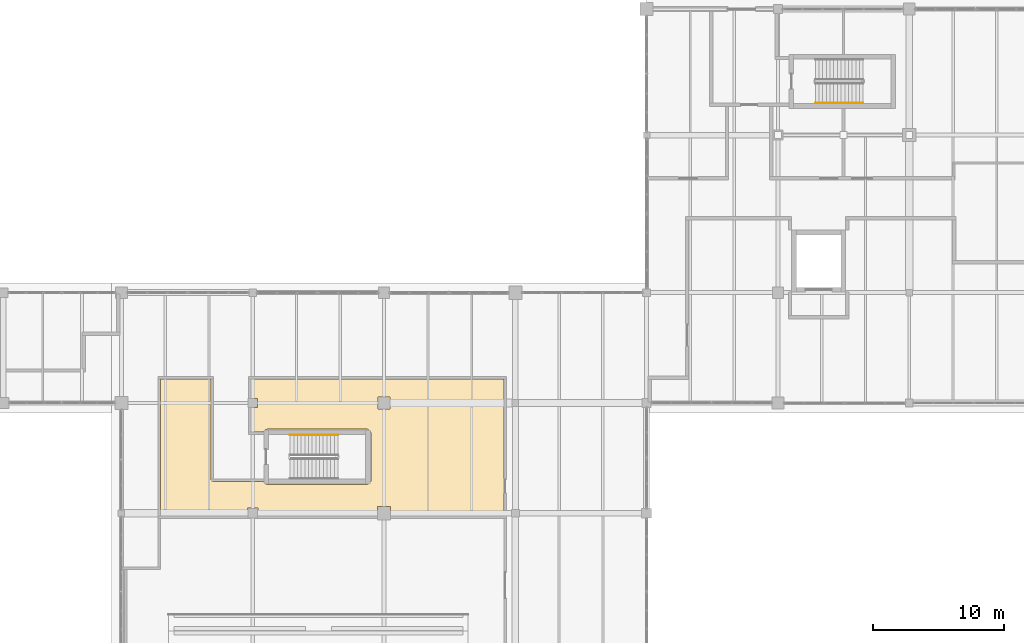
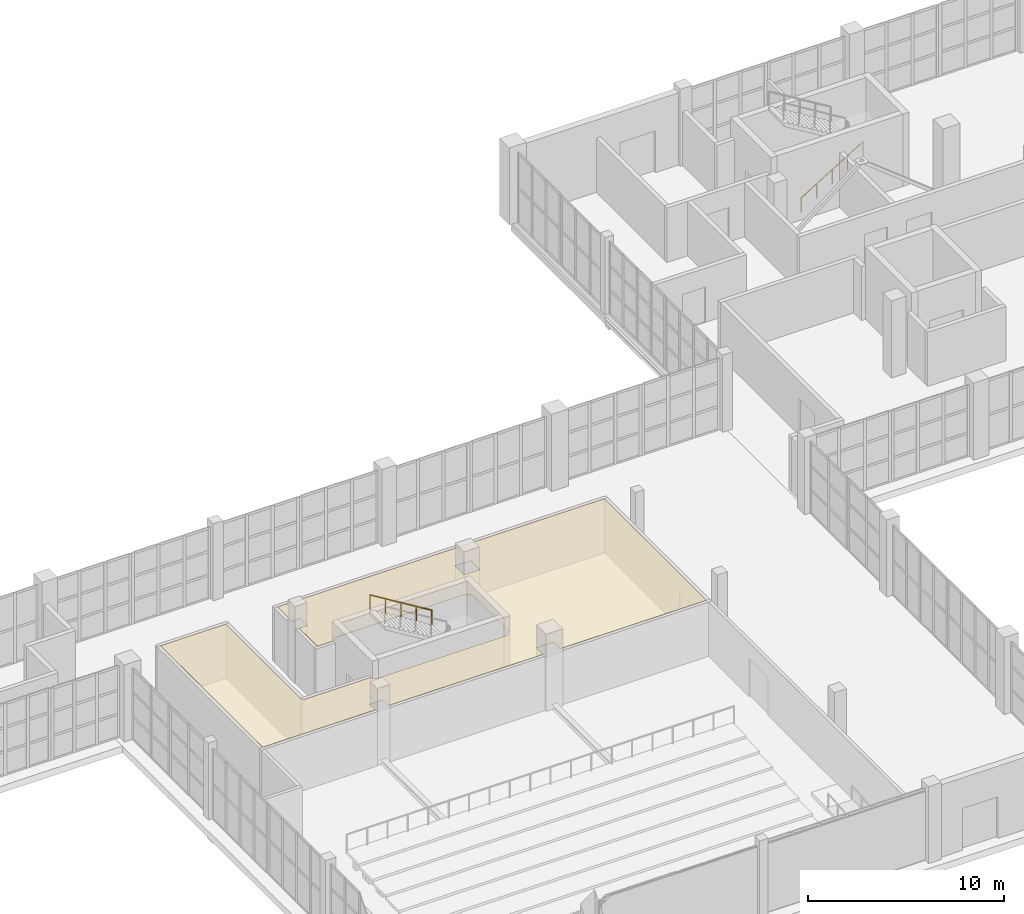
# One storey, part 120 of 121: 2 railings, 1 covering.
"""IFC4 building model written with IfcOpenShell, lengths in metres."""

from ifc_helpers import new_model, si_unit, direction, frame, origin, origin_2d, place, context, subcontext, project, spatial, polyline, circle, outline, extrude, material, layer, layer_set, type_object, element, save


model = new_model("IFC4")

# Units and contexts
model_context = context("Model", 3, precision=1e-05, world=origin(), true_north=direction((0.0, 1.0)))
body_context = subcontext(model_context, "Body", "Model", "MODEL_VIEW")
ifc_project = project(units=[si_unit("LENGTHUNIT", "METRE"), si_unit("AREAUNIT", "SQUARE_METRE"), si_unit("VOLUMEUNIT", "CUBIC_METRE"), si_unit("PLANEANGLEUNIT", "RADIAN"), si_unit("MASSUNIT", "GRAM", prefix="KILO")], contexts=[model_context])

# Site, building, storey
site_placement = place(None, origin())
site = spatial("IfcSite", under=ifc_project, at=site_placement, CompositionType="ELEMENT")
building_placement = place(site_placement, origin())
building = spatial("IfcBuilding", under=site, at=building_placement, Name="Zereglee Splitstone Museum", CompositionType="ELEMENT")
storey_placement = place(building_placement, origin())
storey = spatial("IfcBuildingStorey", under=building, at=storey_placement, Name="L00", CompositionType="ELEMENT", Elevation=0.0)

# Covering
ifc_material_1 = material(Name="Perforated acoustic gypsum board ceiling", Category="masonry")
ifc_layer = layer(ifc_material_1, 0.044921875)
ifc_layer_set = layer_set([ifc_layer], Name="Perforated acoustic gypsum board ceiling")
covering_type = type_object("IfcCoveringType", Name="CLG-02", PredefinedType="CEILING", material=ifc_layer_set)
covering_placement = place(storey_placement, frame((0.0, 0.0, 3.3349609375)))
element("IfcCovering", 1, at=covering_placement, inside=storey, type_object=covering_type, Name="Acoustic Ceiling L00-017", PredefinedType="CEILING", context=body_context, shape_type="SweptSolid", body=[
    extrude(outline(polyline([(265.8798828125, 29.64208984375), (266.35791015625, 29.64208984375), (266.35791015625, 30.35791015625), (265.8798828125, 30.35791015625), (265.8798828125, 31.820068359375), (285.1201171875, 31.820068359375), (285.1201171875, 21.39990234375), (276.508056640625, 21.39990234375), (276.508056640625, 22.10791015625), (275.491943359375, 22.10791015625), (275.491943359375, 21.39990234375), (266.383056640625, 21.39990234375), (266.383056640625, 21.98291015625), (265.616943359375, 21.98291015625), (265.616943359375, 21.39990234375), (258.97998046875, 21.39990234375), (258.97998046875, 31.820068359375), (262.820068359375, 31.820068359375), (262.820068359375, 24.199951171875), (262.820068359375, 24.198974609375), (262.82080078125, 24.183349609375), (262.821044921875, 24.181396484375), (262.8232421875, 24.166015625), (262.82373046875, 24.163818359375), (262.827392578125, 24.148681640625), (262.828125, 24.146728515625), (262.833251953125, 24.132080078125), (262.833984375, 24.130126953125), (262.8408203125, 24.115966796875), (262.841796875, 24.1142578125), (262.849853515625, 24.100830078125), (262.850830078125, 24.09912109375), (262.8603515625, 24.086669921875), (262.861572265625, 24.085205078125), (262.8720703125, 24.073486328125), (262.873291015625, 24.072021484375), (262.885009765625, 24.0615234375), (262.88671875, 24.060302734375), (262.899169921875, 24.05078125), (262.90087890625, 24.0498046875), (262.914306640625, 24.041748046875), (262.916015625, 24.040771484375), (262.93017578125, 24.0341796875), (262.931884765625, 24.033203125), (262.94677734375, 24.028076171875), (262.94873046875, 24.027587890625), (262.9638671875, 24.023681640625), (262.9658203125, 24.023193359375), (262.9814453125, 24.02099609375), (262.9833984375, 24.020751953125), (262.9990234375, 24.02001953125), (263.0, 24.02001953125), (266.821044921875, 24.02001953125), (266.82958984375, 24.001953125), (266.850830078125, 23.966796875), (266.875244140625, 23.93359375), (266.903076171875, 23.903076171875), (266.93359375, 23.875244140625), (266.966796875, 23.850830078125), (267.001953125, 23.82958984375), (267.039306640625, 23.81201171875), (267.078125, 23.798095703125), (267.1181640625, 23.7880859375), (267.15869140625, 23.781982421875), (267.199951171875, 23.780029296875), (274.60009765625, 23.780029296875), (274.64111328125, 23.781982421875), (274.681884765625, 23.7880859375), (274.721923828125, 23.798095703125), (274.7607421875, 23.81201171875), (274.798095703125, 23.82958984375), (274.833251953125, 23.850830078125), (274.866455078125, 23.875244140625), (274.89697265625, 23.903076171875), (274.9248046875, 23.93359375), (274.94921875, 23.966796875), (274.970458984375, 24.001953125), (274.988037109375, 24.039306640625), (275.001953125, 24.078125), (275.011962890625, 24.1181640625), (275.01806640625, 24.15869140625), (275.02001953125, 24.199951171875), (275.02001953125, 27.60009765625), (275.01806640625, 27.64111328125), (275.011962890625, 27.681884765625), (275.001953125, 27.721923828125), (274.988037109375, 27.7607421875), (274.970458984375, 27.798095703125), (274.94921875, 27.833251953125), (274.9248046875, 27.866455078125), (274.89697265625, 27.89697265625), (274.866455078125, 27.9248046875), (274.833251953125, 27.94921875), (274.798095703125, 27.970458984375), (274.7607421875, 27.988037109375), (274.721923828125, 28.001953125), (274.681884765625, 28.011962890625), (274.64111328125, 28.01806640625), (274.60009765625, 28.02001953125), (267.199951171875, 28.02001953125), (267.15869140625, 28.01806640625), (267.1181640625, 28.011962890625), (267.078125, 28.001953125), (267.039306640625, 27.988037109375), (267.001953125, 27.970458984375), (266.966796875, 27.94921875), (266.93359375, 27.9248046875), (266.903076171875, 27.89697265625), (266.875244140625, 27.866455078125), (266.850830078125, 27.833251953125), (266.82958984375, 27.798095703125), (266.821044921875, 27.780029296875), (265.8798828125, 27.780029296875), (265.8798828125, 29.64208984375)]), holes=[polyline([(275.5419921875, 30.4580078125), (275.5419921875, 29.5419921875), (276.4580078125, 29.5419921875), (276.4580078125, 30.4580078125), (275.5419921875, 30.4580078125)])]), origin(), (0.0, 0.0, 1.0), 0.044921875),
])

# Railings
ifc_material_2 = material(Name="Architectural bronze tubular handrail", Category="steel")
railing_type = type_object("IfcRailingType", Name="HR-01", PredefinedType="HANDRAIL", material=ifc_material_2)
railing_1_placement = place(storey_placement, frame((272.489990234375, 27.550048828125, 2.571533203125)))
element("IfcRailing", 2, at=railing_1_placement, inside=storey, type_object=railing_type, Name="L00 ST-05 stair handrail 2", PredefinedType="HANDRAIL", context=body_context, shape_type="SweptSolid", body=[
    extrude(circle(Radius=0.02392578125, at=origin_2d()), frame((0.0, 0.0, 0.8759765625), z_axis=(-0.852850264322, 0.0, 0.5221555579), x_axis=(0.0, -1.0, 0.0)), (0.0, 0.0, 1.0), 4.267822265625),
    extrude(circle(Radius=0.02099609375, at=origin_2d()), origin(), (0.0, 0.0, 1.0), 0.851806640625),
    extrude(circle(Radius=0.02099609375, at=origin_2d()), frame((-0.909912109375, 0.0, 0.55712890625)), (0.0, 0.0, 1.0), 0.851806640625),
    extrude(circle(Radius=0.02099609375, at=origin_2d()), frame((-1.81982421875, 0.0, 1.1142578125)), (0.0, 0.0, 1.0), 0.851806640625),
    extrude(circle(Radius=0.02099609375, at=origin_2d()), frame((-2.72998046875, 0.0, 1.67138671875)), (0.0, 0.0, 1.0), 0.851806640625),
    extrude(circle(Radius=0.02099609375, at=origin_2d()), frame((-3.639892578125, 0.0, 2.228515625)), (0.0, 0.0, 1.0), 0.851806640625),
])
railing_2_placement = place(storey_placement, frame((308.85009765625, 52.85009765625, 0.17138671875)))
element("IfcRailing", 3, at=railing_2_placement, inside=storey, type_object=railing_type, Name="L00 ST-08 stair handrail 1", PredefinedType="HANDRAIL", context=body_context, shape_type="SweptSolid", body=[
    extrude(circle(Radius=0.02392578125, at=origin_2d()), frame((0.0, 0.0, 0.8759765625), z_axis=(0.852850264322, 0.0, 0.5221555579), x_axis=(0.0, 1.0, 0.0)), (0.0, 0.0, 1.0), 4.267822265625),
    extrude(circle(Radius=0.02099609375, at=origin_2d()), origin(), (0.0, 0.0, 1.0), 0.851806640625),
    extrude(circle(Radius=0.02099609375, at=origin_2d()), frame((0.909912109375, 0.0, 0.55712890625)), (0.0, 0.0, 1.0), 0.851806640625),
    extrude(circle(Radius=0.02099609375, at=origin_2d()), frame((1.81982421875, 0.0, 1.1142578125)), (0.0, 0.0, 1.0), 0.851806640625),
    extrude(circle(Radius=0.02099609375, at=origin_2d()), frame((2.72998046875, 0.0, 1.67138671875)), (0.0, 0.0, 1.0), 0.851806640625),
    extrude(circle(Radius=0.02099609375, at=origin_2d()), frame((3.639892578125, 0.0, 2.228515625)), (0.0, 0.0, 1.0), 0.851806640625),
])

save(model, "model.ifc")
